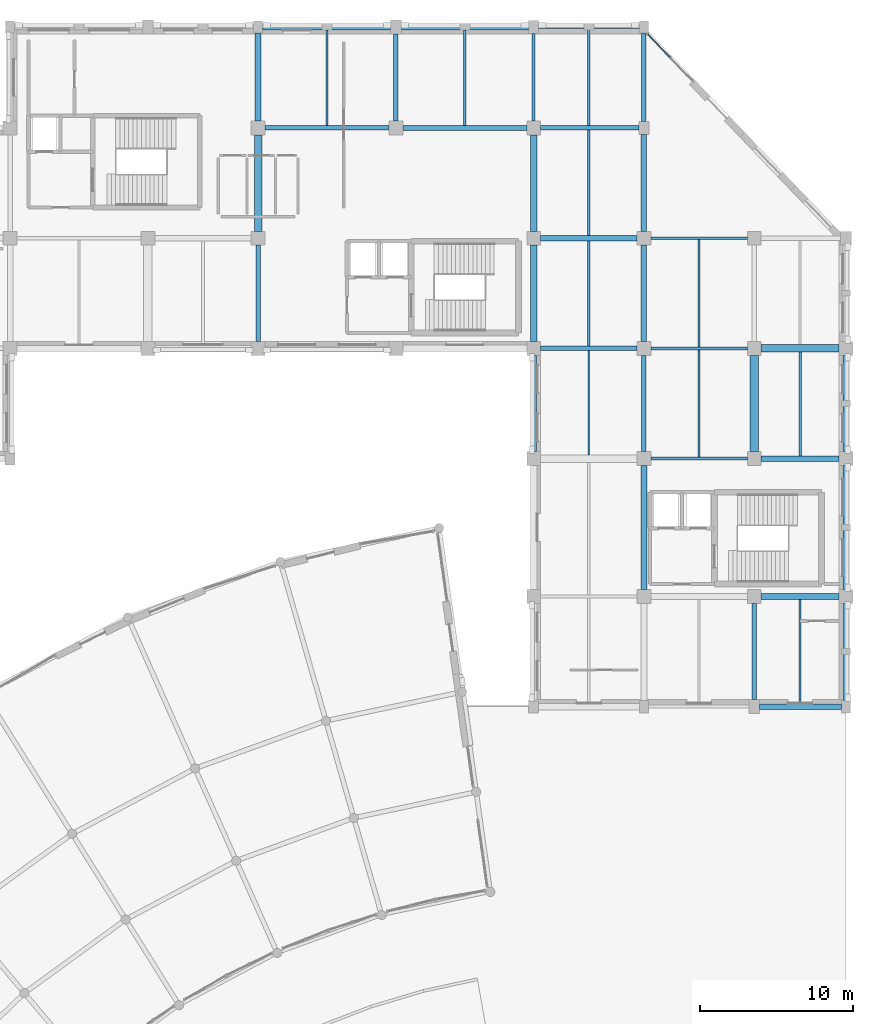
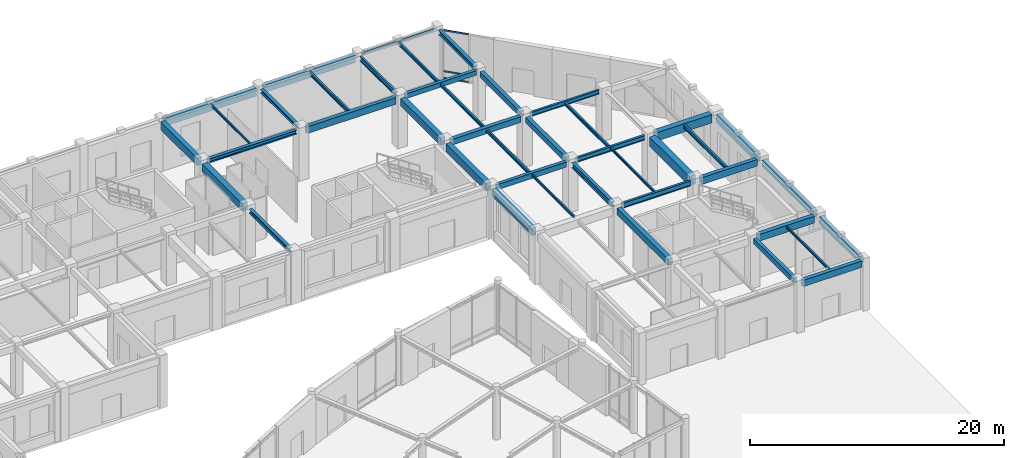
# One storey, part 37 of 64: 43 beams, 3 members, 1 element without a shape of its own.
"""IFC4 building model written with IfcOpenShell, lengths in metres."""

from ifc_helpers import new_model, si_unit, direction, frame, origin, origin_2d, place, context, subcontext, project, spatial, rectangle, i_section, extrude, material, material_profile, profile_set, type_object, element, aggregate, save


model = new_model("IFC4")

# Units and contexts
model_context = context("Model", 3, precision=1e-05, world=origin(), true_north=direction((0.0, 1.0)))
body_context = subcontext(model_context, "Body", "Model", "MODEL_VIEW")
ifc_project = project(units=[si_unit("LENGTHUNIT", "METRE"), si_unit("AREAUNIT", "SQUARE_METRE"), si_unit("VOLUMEUNIT", "CUBIC_METRE"), si_unit("PLANEANGLEUNIT", "RADIAN"), si_unit("MASSUNIT", "GRAM", prefix="KILO")], contexts=[model_context])

# Site, building, storey
site_placement = place(None, origin())
site = spatial("IfcSite", under=ifc_project, at=site_placement, CompositionType="ELEMENT")
building_placement = place(site_placement, origin())
building = spatial("IfcBuilding", under=site, at=building_placement, Name="Clarverna Civic Hall", CompositionType="ELEMENT")
storey_placement = place(building_placement, origin())
storey = spatial("IfcBuildingStorey", under=building, at=storey_placement, Name="L00", CompositionType="ELEMENT", Elevation=0.0)

# Beams
ifc_material_1 = material(Name="Steel S355", Category="steel")
ifc_material_profile_1 = material_profile(ifc_material_1, i_section(OverallWidth=0.219970703125, OverallDepth=0.2099609375, WebThickness=0.007080078125, FlangeThickness=0.010986328125, FilletRadius=0.01806640625, at=origin_2d()), Name="HEA 220")
ifc_profile_set_1 = profile_set([ifc_material_profile_1], Name="Steel S355")
beam_type_1 = type_object("IfcBeamType", Name="B-LN1", PredefinedType="LINTEL", material=ifc_profile_set_1)
beam_1_placement = place(storey_placement, frame((147.925048828125, 116.0, 4.675048828125), z_axis=(1.0, 0.0, 0.0), x_axis=(0.0, 1.0, 0.0)))
element("IfcBeam", 1, at=beam_1_placement, inside=storey, type_object=beam_type_1, Name="B-LN1-010", PredefinedType="LINTEL", context=body_context, shape_type="SweptSolid", body=[
    extrude(i_section(OverallWidth=0.219970703125, OverallDepth=0.2099609375, WebThickness=0.007080078125, FlangeThickness=0.010986328125, FilletRadius=0.01806640625, at=origin_2d()), origin(), (0.0, 0.0, 1.0), 6.574951171875),
])
ifc_material_2 = material(Name="Concrete C35/45", Category="concrete")
ifc_material_profile_2 = material_profile(ifc_material_2, rectangle(XDim=0.35009765625, YDim=0.5, at=origin_2d()), Name="RC 350x500")
ifc_profile_set_2 = profile_set([ifc_material_profile_2], Name="Concrete C35/45")
beam_type_2 = type_object("IfcBeamType", Name="B-RC10", PredefinedType="BEAM", material=ifc_profile_set_2)
beam_2_placement = place(storey_placement, frame((154.800048828125, 102.64990234375, 4.530029296875), z_axis=(0.0, 1.0, 0.0), x_axis=(-1.0, 0.0, 0.0)))
element("IfcBeam", 2, at=beam_2_placement, inside=storey, type_object=beam_type_2, Name="B-RC10-022", PredefinedType="BEAM", context=body_context, shape_type="SweptSolid", body=[
    extrude(rectangle(XDim=0.35009765625, YDim=0.5, at=origin_2d()), origin(), (0.0, 0.0, 1.0), 6.3251953125),
])
ifc_material_profile_3 = material_profile(ifc_material_2, rectangle(XDim=0.300048828125, YDim=0.5, at=origin_2d()), Name="RC 300x500")
ifc_profile_set_3 = profile_set([ifc_material_profile_3], Name="Concrete C35/45")
beam_type_3 = type_object("IfcBeamType", Name="B-RC12", PredefinedType="BEAM", material=ifc_profile_set_3)
for number, where, z_axis, x_axis, name in (
    (3, (148.050048828125, 95.0, 4.530029296875), (1.0, 0.0, 0.0), (0.0, 1.0, 0.0), "B-RC12-022"),
    (4, (162.0, 72.050048828125, 4.530029296875), (0.0, 1.0, 0.0), (-1.0, 0.0, 0.0), "B-RC12-027"),
):
    element("IfcBeam", number, at=place(storey_placement, frame(where, z_axis=z_axis, x_axis=x_axis)), inside=storey, type_object=beam_type_3, Name=name, PredefinedType="BEAM", context=body_context, shape_type="SweptSolid", body=[
        extrude(rectangle(XDim=0.300048828125, YDim=0.5, at=origin_2d()), origin(), (0.0, 0.0, 1.0), 6.300048828125),
    ])
ifc_material_profile_4 = material_profile(ifc_material_2, rectangle(XDim=0.550048828125, YDim=0.89990234375, at=origin_2d()), Name="RC 550x900")
ifc_profile_set_4 = profile_set([ifc_material_profile_4], Name="Concrete C35/45")
beam_type_4 = type_object("IfcBeamType", Name="B-RC13", PredefinedType="BEAM", material=ifc_profile_set_4)
beam_3_placement = place(storey_placement, frame((162.0, 88.25, 4.330078125), z_axis=(0.0, 1.0, 0.0), x_axis=(-1.0, 0.0, 0.0)))
element("IfcBeam", 5, at=beam_3_placement, inside=storey, type_object=beam_type_4, Name="B-RC13-021", PredefinedType="BEAM", context=body_context, shape_type="SweptSolid", body=[
    extrude(rectangle(XDim=0.550048828125, YDim=0.89990234375, at=origin_2d()), origin(), (0.0, 0.0, 1.0), 6.300048828125),
])
ifc_material_profile_5 = material_profile(ifc_material_2, rectangle(XDim=0.5, YDim=0.800048828125, at=origin_2d()), Name="RC 500x800")
ifc_profile_set_5 = profile_set([ifc_material_profile_5], Name="Concrete C35/45")
beam_type_5 = type_object("IfcBeamType", Name="B-RC14", PredefinedType="BEAM", material=ifc_profile_set_5)
beam_4_placement = place(storey_placement, frame((162.449951171875, 95.0, 4.3798828125), z_axis=(1.0, 0.0, 0.0), x_axis=(0.0, 1.0, 0.0)))
element("IfcBeam", 6, at=beam_4_placement, inside=storey, type_object=beam_type_5, Name="B-RC14-021", PredefinedType="BEAM", context=body_context, shape_type="SweptSolid", body=[
    extrude(rectangle(XDim=0.5, YDim=0.800048828125, at=origin_2d()), origin(), (0.0, 0.0, 1.0), 5.10009765625),
])
ifc_material_profile_6 = material_profile(ifc_material_2, rectangle(XDim=0.5, YDim=0.75, at=origin_2d()), Name="RC 500x750")
ifc_profile_set_6 = profile_set([ifc_material_profile_6], Name="Concrete C35/45")
beam_type_6 = type_object("IfcBeamType", Name="B-RC15", PredefinedType="BEAM", material=ifc_profile_set_6)
beam_5_placement = place(storey_placement, frame((129.60009765625, 102.64990234375, 4.405029296875), z_axis=(0.0, 1.0, 0.0), x_axis=(-1.0, 0.0, 0.0)))
element("IfcBeam", 7, at=beam_5_placement, inside=storey, type_object=beam_type_6, Name="B-RC15-025", PredefinedType="BEAM", context=body_context, shape_type="SweptSolid", body=[
    extrude(rectangle(XDim=0.5, YDim=0.75, at=origin_2d()), origin(), (0.0, 0.0, 1.0), 6.300048828125),
])
ifc_material_profile_7 = material_profile(ifc_material_2, rectangle(XDim=0.39990234375, YDim=0.75, at=origin_2d()), Name="RC 400x750")
ifc_profile_set_7 = profile_set([ifc_material_profile_7], Name="Concrete C35/45")
beam_type_7 = type_object("IfcBeamType", Name="B-RC16", PredefinedType="BEAM", material=ifc_profile_set_7)
beam_6_placement = place(storey_placement, frame((129.60009765625, 109.85009765625, 4.405029296875), z_axis=(0.0, 1.0, 0.0), x_axis=(-1.0, 0.0, 0.0)))
element("IfcBeam", 8, at=beam_6_placement, inside=storey, type_object=beam_type_7, Name="B-RC16-020", PredefinedType="BEAM", context=body_context, shape_type="SweptSolid", body=[
    extrude(rectangle(XDim=0.39990234375, YDim=0.75, at=origin_2d()), origin(), (0.0, 0.0, 1.0), 5.75),
])
ifc_material_profile_8 = material_profile(ifc_material_2, rectangle(XDim=0.35009765625, YDim=0.64990234375, at=origin_2d()), Name="RC 350x650")
ifc_profile_set_8 = profile_set([ifc_material_profile_8], Name="Concrete C35/45")
beam_type_8 = type_object("IfcBeamType", Name="B-RC17", PredefinedType="BEAM", material=ifc_profile_set_8)
beam_7_placement = place(storey_placement, frame((162.449951171875, 87.800048828125, 4.455078125), z_axis=(1.0, 0.0, 0.0), x_axis=(0.0, 1.0, 0.0)))
element("IfcBeam", 9, at=beam_7_placement, inside=storey, type_object=beam_type_8, Name="B-RC17-020", PredefinedType="BEAM", context=body_context, shape_type="SweptSolid", body=[
    extrude(rectangle(XDim=0.35009765625, YDim=0.64990234375, at=origin_2d()), origin(), (0.0, 0.0, 1.0), 5.10009765625),
])
beam_8_placement = place(storey_placement, frame((139.050048828125, 109.39990234375, 4.455078125), z_axis=(1.0, 0.0, 0.0), x_axis=(0.0, 1.0, 0.0)))
element("IfcBeam", 10, at=beam_8_placement, inside=storey, type_object=beam_type_8, Name="B-RC17-021", PredefinedType="BEAM", context=body_context, shape_type="SweptSolid", body=[
    extrude(rectangle(XDim=0.35009765625, YDim=0.64990234375, at=origin_2d()), origin(), (0.0, 0.0, 1.0), 8.099853515625),
])
ifc_material_profile_9 = material_profile(ifc_material_2, rectangle(XDim=0.300048828125, YDim=0.449951171875, at=origin_2d()), Name="RC 300x450")
ifc_profile_set_9 = profile_set([ifc_material_profile_9], Name="Concrete C35/45")
beam_type_9 = type_object("IfcBeamType", Name="B-RC18", PredefinedType="BEAM", material=ifc_profile_set_9)
beam_9_placement = place(storey_placement, frame((148.050048828125, 109.39990234375, 4.554931640625), z_axis=(1.0, 0.0, 0.0), x_axis=(0.0, 1.0, 0.0)))
element("IfcBeam", 11, at=beam_9_placement, inside=storey, type_object=beam_type_9, Name="B-RC18-018", PredefinedType="BEAM", context=body_context, shape_type="SweptSolid", body=[
    extrude(rectangle(XDim=0.300048828125, YDim=0.449951171875, at=origin_2d()), origin(), (0.0, 0.0, 1.0), 6.425048828125),
])
ifc_material_profile_10 = material_profile(ifc_material_2, rectangle(XDim=0.449951171875, YDim=0.75, at=origin_2d()), Name="RC 450x750")
ifc_profile_set_10 = profile_set([ifc_material_profile_10], Name="Concrete C35/45")
beam_type_10 = type_object("IfcBeamType", Name="B-RC3", PredefinedType="BEAM", material=ifc_profile_set_10)
beam_10_placement = place(storey_placement, frame((147.60009765625, 95.449951171875, 4.405029296875), z_axis=(0.0, 1.0, 0.0), x_axis=(-1.0, 0.0, 0.0)))
element("IfcBeam", 12, at=beam_10_placement, inside=storey, type_object=beam_type_10, Name="B-RC3-020", PredefinedType="BEAM", context=body_context, shape_type="SweptSolid", body=[
    extrude(rectangle(XDim=0.449951171875, YDim=0.75, at=origin_2d()), origin(), (0.0, 0.0, 1.0), 6.300048828125),
])
ifc_material_profile_11 = material_profile(ifc_material_2, rectangle(XDim=0.449951171875, YDim=0.699951171875, at=origin_2d()), Name="RC 450x700")
ifc_profile_set_11 = profile_set([ifc_material_profile_11], Name="Concrete C35/45")
beam_type_11 = type_object("IfcBeamType", Name="B-RC4", PredefinedType="BEAM", material=ifc_profile_set_11)
beam_11_placement = place(storey_placement, frame((147.60009765625, 102.64990234375, 4.429931640625), z_axis=(0.0, 1.0, 0.0), x_axis=(-1.0, 0.0, 0.0)))
element("IfcBeam", 13, at=beam_11_placement, inside=storey, type_object=beam_type_11, Name="B-RC4-020", PredefinedType="BEAM", context=body_context, shape_type="SweptSolid", body=[
    extrude(rectangle(XDim=0.449951171875, YDim=0.699951171875, at=origin_2d()), origin(), (0.0, 0.0, 1.0), 6.300048828125),
])
ifc_material_profile_12 = material_profile(ifc_material_2, rectangle(XDim=0.39990234375, YDim=0.64990234375, at=origin_2d()), Name="RC 400x650")
ifc_profile_set_12 = profile_set([ifc_material_profile_12], Name="Concrete C35/45")
beam_type_12 = type_object("IfcBeamType", Name="B-RC6", PredefinedType="BEAM", material=ifc_profile_set_12)
beam_12_placement = place(storey_placement, frame((162.449951171875, 78.800048828125, 4.455078125), z_axis=(1.0, 0.0, 0.0), x_axis=(0.0, 1.0, 0.0)))
element("IfcBeam", 14, at=beam_12_placement, inside=storey, type_object=beam_type_12, Name="B-RC6-017", PredefinedType="BEAM", context=body_context, shape_type="SweptSolid", body=[
    extrude(rectangle(XDim=0.39990234375, YDim=0.64990234375, at=origin_2d()), origin(), (0.0, 0.0, 1.0), 5.10009765625),
])
ifc_material_profile_13 = material_profile(ifc_material_2, rectangle(XDim=0.39990234375, YDim=0.60009765625, at=origin_2d()), Name="RC 400x600")
ifc_profile_set_13 = profile_set([ifc_material_profile_13], Name="Concrete C35/45")
beam_type_13 = type_object("IfcBeamType", Name="B-RC7", PredefinedType="BEAM", material=ifc_profile_set_13)
beam_13_placement = place(storey_placement, frame((154.800048828125, 79.25, 4.47998046875), z_axis=(0.0, 1.0, 0.0), x_axis=(-1.0, 0.0, 0.0)))
element("IfcBeam", 15, at=beam_13_placement, inside=storey, type_object=beam_type_13, Name="B-RC7-021", PredefinedType="BEAM", context=body_context, shape_type="SweptSolid", body=[
    extrude(rectangle(XDim=0.39990234375, YDim=0.60009765625, at=origin_2d()), origin(), (0.0, 0.0, 1.0), 8.10009765625),
])
ifc_material_profile_14 = material_profile(ifc_material_2, rectangle(XDim=0.35009765625, YDim=0.550048828125, at=origin_2d()), Name="RC 350x550")
ifc_profile_set_14 = profile_set([ifc_material_profile_14], Name="Concrete C35/45")
beam_type_14 = type_object("IfcBeamType", Name="B-RC9", PredefinedType="BEAM", material=ifc_profile_set_14)
for number, where, z_axis, x_axis, name in (
    (16, (148.050048828125, 102.199951171875, 4.5048828125), (1.0, 0.0, 0.0), (0.0, 1.0, 0.0), "B-RC9-019"),
    (17, (154.800048828125, 95.449951171875, 4.5048828125), (0.0, 1.0, 0.0), (-1.0, 0.0, 0.0), "B-RC9-023"),
):
    element("IfcBeam", number, at=place(storey_placement, frame(where, z_axis=z_axis, x_axis=x_axis)), inside=storey, type_object=beam_type_14, Name=name, PredefinedType="BEAM", context=body_context, shape_type="SweptSolid", body=[
        extrude(rectangle(XDim=0.35009765625, YDim=0.550048828125, at=origin_2d()), origin(), (0.0, 0.0, 1.0), 6.300048828125),
    ])
ifc_material_profile_15 = material_profile(ifc_material_2, rectangle(XDim=0.419921875, YDim=0.719970703125, at=origin_2d()), Name="RC 420x720")
ifc_profile_set_15 = profile_set([ifc_material_profile_15], Name="Concrete C35/45")
beam_type_15 = type_object("IfcBeamType", Name="B-SP1", PredefinedType="SPANDREL", material=ifc_profile_set_15)
beam_14_placement = place(storey_placement, frame((129.89990234375, 116.0, 4.419921875), z_axis=(1.0, 0.0, 0.0), x_axis=(0.0, 1.0, 0.0)))
element("IfcBeam", 18, at=beam_14_placement, inside=storey, type_object=beam_type_15, Name="B-SP1-042", PredefinedType="SPANDREL", context=body_context, shape_type="SweptSolid", body=[
    extrude(rectangle(XDim=0.419921875, YDim=0.719970703125, at=origin_2d()), origin(), (0.0, 0.0, 1.0), 8.35009765625),
])
beam_15_placement = place(storey_placement, frame((168.0, 88.25, 4.419921875), z_axis=(0.0, 1.0, 0.0), x_axis=(-1.0, 0.0, 0.0)))
element("IfcBeam", 19, at=beam_15_placement, inside=storey, type_object=beam_type_15, Name="B-SP1-056", PredefinedType="SPANDREL", context=body_context, shape_type="SweptSolid", body=[
    extrude(rectangle(XDim=0.419921875, YDim=0.719970703125, at=origin_2d()), origin(), (0.0, 0.0, 1.0), 6.300048828125),
])
ifc_material_profile_16 = material_profile(ifc_material_2, rectangle(XDim=0.3798828125, YDim=0.679931640625, at=origin_2d()), Name="RC 380x680")
ifc_profile_set_16 = profile_set([ifc_material_profile_16], Name="Concrete C35/45")
beam_type_16 = type_object("IfcBeamType", Name="B-SP2", PredefinedType="SPANDREL", material=ifc_profile_set_16)
beam_16_placement = place(storey_placement, frame((138.949951171875, 116.0, 4.43994140625), z_axis=(1.0, 0.0, 0.0), x_axis=(0.0, 1.0, 0.0)))
element("IfcBeam", 20, at=beam_16_placement, inside=storey, type_object=beam_type_16, Name="B-SP2-041", PredefinedType="SPANDREL", context=body_context, shape_type="SweptSolid", body=[
    extrude(rectangle(XDim=0.3798828125, YDim=0.679931640625, at=origin_2d()), origin(), (0.0, 0.0, 1.0), 8.324951171875),
])
beam_17_placement = place(storey_placement, frame((147.60009765625, 88.25, 4.43994140625), z_axis=(0.0, 1.0, 0.0), x_axis=(-1.0, 0.0, 0.0)))
element("IfcBeam", 21, at=beam_17_placement, inside=storey, type_object=beam_type_16, Name="B-SP2-055", PredefinedType="SPANDREL", context=body_context, shape_type="SweptSolid", body=[
    extrude(rectangle(XDim=0.3798828125, YDim=0.679931640625, at=origin_2d()), origin(), (0.0, 0.0, 1.0), 6.300048828125),
])
ifc_material_profile_17 = material_profile(ifc_material_2, rectangle(XDim=0.360107421875, YDim=0.6201171875, at=origin_2d()), Name="RC 360x620")
ifc_profile_set_17 = profile_set([ifc_material_profile_17], Name="Concrete C35/45")
beam_type_17 = type_object("IfcBeamType", Name="B-SP3", PredefinedType="SPANDREL", material=ifc_profile_set_17)
beam_18_placement = place(storey_placement, frame((162.35009765625, 71.60009765625, 4.469970703125), z_axis=(1.0, 0.0, 0.0), x_axis=(0.0, 1.0, 0.0)))
element("IfcBeam", 22, at=beam_18_placement, inside=storey, type_object=beam_type_17, Name="B-SP3-036", PredefinedType="SPANDREL", context=body_context, shape_type="SweptSolid", body=[
    extrude(rectangle(XDim=0.360107421875, YDim=0.6201171875, at=origin_2d()), origin(), (0.0, 0.0, 1.0), 5.349853515625),
])
beam_19_placement = place(storey_placement, frame((168.0, 72.0, 4.469970703125), z_axis=(0.0, 1.0, 0.0), x_axis=(-1.0, 0.0, 0.0)))
element("IfcBeam", 23, at=beam_19_placement, inside=storey, type_object=beam_type_17, Name="B-SP3-056", PredefinedType="SPANDREL", context=body_context, shape_type="SweptSolid", body=[
    extrude(rectangle(XDim=0.360107421875, YDim=0.6201171875, at=origin_2d()), origin(), (0.0, 0.0, 1.0), 6.35009765625),
])
ifc_material_profile_18 = material_profile(ifc_material_2, rectangle(XDim=0.39990234375, YDim=0.56005859375, at=origin_2d()), Name="RC 400x560")
ifc_profile_set_18 = profile_set([ifc_material_profile_18], Name="Concrete C35/45")
beam_type_18 = type_object("IfcBeamType", Name="B-SP4", PredefinedType="SPANDREL", material=ifc_profile_set_18)
beam_20_placement = place(storey_placement, frame((168.0, 79.25, 4.5), z_axis=(0.0, 1.0, 0.0), x_axis=(-1.0, 0.0, 0.0)))
element("IfcBeam", 24, at=beam_20_placement, inside=storey, type_object=beam_type_18, Name="B-SP4-052", PredefinedType="SPANDREL", context=body_context, shape_type="SweptSolid", body=[
    extrude(rectangle(XDim=0.39990234375, YDim=0.56005859375, at=origin_2d()), origin(), (0.0, 0.0, 1.0), 8.10009765625),
])
ifc_material_profile_19 = material_profile(ifc_material_1, i_section(OverallWidth=0.199951171875, OverallDepth=0.5, WebThickness=0.01025390625, FlangeThickness=0.01611328125, FilletRadius=0.02099609375, at=origin_2d()), Name="IPE 500")
ifc_profile_set_19 = profile_set([ifc_material_profile_19], Name="Steel S355")
beam_type_19 = type_object("IfcBeamType", Name="B-ST12", PredefinedType="BEAM", material=ifc_profile_set_19)
beam_21_placement = place(storey_placement, frame((155.25, 87.800048828125, 4.530029296875), z_axis=(1.0, 0.0, 0.0), x_axis=(0.0, 1.0, 0.0)))
element("IfcBeam", 25, at=beam_21_placement, inside=storey, type_object=beam_type_19, Name="B-ST12-002", PredefinedType="BEAM", context=body_context, shape_type="SweptSolid", body=[
    extrude(i_section(OverallWidth=0.199951171875, OverallDepth=0.5, WebThickness=0.01025390625, FlangeThickness=0.01611328125, FilletRadius=0.02099609375, at=origin_2d()), origin(), (0.0, 0.0, 1.0), 6.300048828125),
])
ifc_material_profile_20 = material_profile(ifc_material_1, i_section(OverallWidth=0.18994140625, OverallDepth=0.449951171875, WebThickness=0.009521484375, FlangeThickness=0.0146484375, FilletRadius=0.02099609375, at=origin_2d()), Name="IPE 450")
ifc_profile_set_20 = profile_set([ifc_material_profile_20], Name="Steel S355")
beam_type_20 = type_object("IfcBeamType", Name="B-ST13", PredefinedType="BEAM", material=ifc_profile_set_20)
beam_22_placement = place(storey_placement, frame((155.25, 95.0, 4.554931640625), z_axis=(1.0, 0.0, 0.0), x_axis=(0.0, 1.0, 0.0)))
element("IfcBeam", 26, at=beam_22_placement, inside=storey, type_object=beam_type_20, Name="B-ST13-003", PredefinedType="BEAM", context=body_context, shape_type="SweptSolid", body=[
    extrude(i_section(OverallWidth=0.18994140625, OverallDepth=0.449951171875, WebThickness=0.009521484375, FlangeThickness=0.0146484375, FilletRadius=0.02099609375, at=origin_2d()), origin(), (0.0, 0.0, 1.0), 6.300048828125),
])
beam_23_placement = place(storey_placement, frame((147.60009765625, 109.85009765625, 4.554931640625), z_axis=(0.0, 1.0, 0.0), x_axis=(-1.0, 0.0, 0.0)))
element("IfcBeam", 27, at=beam_23_placement, inside=storey, type_object=beam_type_20, Name="B-ST13-005", PredefinedType="BEAM", context=body_context, shape_type="SweptSolid", body=[
    extrude(i_section(OverallWidth=0.18994140625, OverallDepth=0.449951171875, WebThickness=0.009521484375, FlangeThickness=0.0146484375, FilletRadius=0.02099609375, at=origin_2d()), origin(), (0.0, 0.0, 1.0), 5.724853515625),
])
ifc_material_profile_21 = material_profile(ifc_material_1, i_section(OverallWidth=0.179931640625, OverallDepth=0.39990234375, WebThickness=0.008544921875, FlangeThickness=0.013427734375, FilletRadius=0.02099609375, at=origin_2d()), Name="IPE 400")
ifc_profile_set_21 = profile_set([ifc_material_profile_21], Name="Steel S355")
beam_type_21 = type_object("IfcBeamType", Name="B-ST14", PredefinedType="BEAM", material=ifc_profile_set_21)
beam_24_placement = place(storey_placement, frame((155.25, 102.199951171875, 4.580078125), z_axis=(1.0, 0.0, 0.0), x_axis=(0.0, 1.0, 0.0)))
element("IfcBeam", 28, at=beam_24_placement, inside=storey, type_object=beam_type_21, Name="B-ST14-003", PredefinedType="BEAM", context=body_context, shape_type="SweptSolid", body=[
    extrude(i_section(OverallWidth=0.179931640625, OverallDepth=0.39990234375, WebThickness=0.008544921875, FlangeThickness=0.013427734375, FilletRadius=0.02099609375, at=origin_2d()), origin(), (0.0, 0.0, 1.0), 6.300048828125),
])
ifc_material_profile_22 = material_profile(ifc_material_1, i_section(OverallWidth=0.300048828125, OverallDepth=0.5, WebThickness=0.014404296875, FlangeThickness=0.028076171875, FilletRadius=0.027099609375, at=origin_2d()), Name="HEB 500")
ifc_profile_set_22 = profile_set([ifc_material_profile_22], Name="Steel S355")
beam_type_22 = type_object("IfcBeamType", Name="B-ST2", PredefinedType="BEAM", material=ifc_profile_set_22)
beam_25_placement = place(storey_placement, frame((154.800048828125, 88.25, 4.530029296875), z_axis=(0.0, 1.0, 0.0), x_axis=(-1.0, 0.0, 0.0)))
element("IfcBeam", 29, at=beam_25_placement, inside=storey, type_object=beam_type_22, Name="B-ST2-002", PredefinedType="BEAM", context=body_context, shape_type="SweptSolid", body=[
    extrude(i_section(OverallWidth=0.300048828125, OverallDepth=0.5, WebThickness=0.014404296875, FlangeThickness=0.028076171875, FilletRadius=0.027099609375, at=origin_2d()), origin(), (0.0, 0.0, 1.0), 6.300048828125),
])
ifc_material_profile_23 = material_profile(ifc_material_1, i_section(OverallWidth=0.300048828125, OverallDepth=0.39990234375, WebThickness=0.013427734375, FlangeThickness=0.02392578125, FilletRadius=0.027099609375, at=origin_2d()), Name="HEB 400")
ifc_profile_set_23 = profile_set([ifc_material_profile_23], Name="Steel S355")
beam_type_23 = type_object("IfcBeamType", Name="B-ST4", PredefinedType="BEAM", material=ifc_profile_set_23)
beam_26_placement = place(storey_placement, frame((129.60009765625, 95.449951171875, 4.580078125), z_axis=(0.0, 1.0, 0.0), x_axis=(-1.0, 0.0, 0.0)))
element("IfcBeam", 30, at=beam_26_placement, inside=storey, type_object=beam_type_23, Name="B-ST4-004", PredefinedType="BEAM", context=body_context, shape_type="SweptSolid", body=[
    extrude(i_section(OverallWidth=0.300048828125, OverallDepth=0.39990234375, WebThickness=0.013427734375, FlangeThickness=0.02392578125, FilletRadius=0.027099609375, at=origin_2d()), origin(), (0.0, 0.0, 1.0), 6.300048828125),
])
ifc_material_profile_24 = material_profile(ifc_material_1, i_section(OverallWidth=0.300048828125, OverallDepth=0.43994140625, WebThickness=0.011474609375, FlangeThickness=0.02099609375, FilletRadius=0.027099609375, at=origin_2d()), Name="HEA 450")
ifc_profile_set_24 = profile_set([ifc_material_profile_24], Name="Steel S355")
beam_type_24 = type_object("IfcBeamType", Name="B-ST5", PredefinedType="BEAM", material=ifc_profile_set_24)
beam_27_placement = place(storey_placement, frame((154.800048828125, 109.824951171875, 4.56005859375), z_axis=(0.0, 1.0, 0.0), x_axis=(-1.0, 0.0, 0.0)))
element("IfcBeam", 31, at=beam_27_placement, inside=storey, type_object=beam_type_24, Name="B-ST5-026", PredefinedType="BEAM", context=body_context, shape_type="SweptSolid", body=[
    extrude(i_section(OverallWidth=0.300048828125, OverallDepth=0.43994140625, WebThickness=0.011474609375, FlangeThickness=0.02099609375, FilletRadius=0.027099609375, at=origin_2d()), origin(), (0.0, 0.0, 1.0), 5.775146484375),
])
ifc_material_profile_25 = material_profile(ifc_material_1, i_section(OverallWidth=0.300048828125, OverallDepth=0.389892578125, WebThickness=0.010986328125, FlangeThickness=0.01904296875, FilletRadius=0.027099609375, at=origin_2d()), Name="HEA 400")
ifc_profile_set_25 = profile_set([ifc_material_profile_25], Name="Steel S355")
beam_type_25 = type_object("IfcBeamType", Name="B-ST6", PredefinedType="BEAM", material=ifc_profile_set_25)
beam_28_placement = place(storey_placement, frame((130.050048828125, 109.39990234375, 4.5849609375), z_axis=(1.0, 0.0, 0.0), x_axis=(0.0, 1.0, 0.0)))
element("IfcBeam", 32, at=beam_28_placement, inside=storey, type_object=beam_type_25, Name="B-ST6-002", PredefinedType="BEAM", context=body_context, shape_type="SweptSolid", body=[
    extrude(i_section(OverallWidth=0.300048828125, OverallDepth=0.389892578125, WebThickness=0.010986328125, FlangeThickness=0.01904296875, FilletRadius=0.027099609375, at=origin_2d()), origin(), (0.0, 0.0, 1.0), 8.099853515625),
])
ifc_material_profile_26 = material_profile(ifc_material_1, i_section(OverallWidth=0.300048828125, OverallDepth=0.35009765625, WebThickness=0.010009765625, FlangeThickness=0.017578125, FilletRadius=0.027099609375, at=origin_2d()), Name="HEA 360")
ifc_profile_set_26 = profile_set([ifc_material_profile_26], Name="Steel S355")
beam_type_26 = type_object("IfcBeamType", Name="B-ST7", PredefinedType="BEAM", material=ifc_profile_set_26)
beam_29_placement = place(storey_placement, frame((138.60009765625, 109.85009765625, 4.60498046875), z_axis=(0.0, 1.0, 0.0), x_axis=(-1.0, 0.0, 0.0)))
element("IfcBeam", 33, at=beam_29_placement, inside=storey, type_object=beam_type_26, Name="B-ST7-004", PredefinedType="BEAM", context=body_context, shape_type="SweptSolid", body=[
    extrude(i_section(OverallWidth=0.300048828125, OverallDepth=0.35009765625, WebThickness=0.010009765625, FlangeThickness=0.017578125, FilletRadius=0.027099609375, at=origin_2d()), origin(), (0.0, 0.0, 1.0), 5.699951171875),
])

# Curtain wall, members
ifc_material_3 = material(Name="Anodised Bronze Architectural Aluminium", Category="aluminium")
curtain_wall_type = type_object("IfcCurtainWallType", Name="CW-02", PredefinedType="USERDEFINED", material=ifc_material_3)
curtain_wall_placement = place(storey_placement, origin())
curtain_wall = element("IfcCurtainWall", 34, at=curtain_wall_placement, inside=storey, type_object=curtain_wall_type, Name="CW-02-001", ObjectType="UNITISED CURTAIN WALL", PredefinedType="USERDEFINED")
ifc_material_profile_27 = material_profile(ifc_material_3, rectangle(XDim=0.06005859375, YDim=0.14990234375, at=origin_2d()), Name="BRONZE 60x150")
ifc_profile_set_27 = profile_set([ifc_material_profile_27], Name="Anodised Bronze Architectural Aluminium")
member_type = type_object("IfcMemberType", Name="CWT-01", PredefinedType="USERDEFINED", material=ifc_profile_set_27)
member_1_placement = place(storey_placement, frame((155.060302734375, 115.525390625, 0.094970703125), z_axis=(0.691196082375, -0.722667264866, 0.0), x_axis=(0.722667264866, 0.691196082375, 0.0)))
member_1 = element("IfcMember", 35, at=member_1_placement, type_object=member_type, Name="CWT-01-001", ObjectType="TRANSOM", PredefinedType="USERDEFINED", context=body_context, shape_type="SweptSolid", body=[
    extrude(rectangle(XDim=0.06005859375, YDim=0.14990234375, at=origin_2d()), origin(), (0.0, 0.0, 1.0), 2.0869140625),
])
member_2_placement = place(storey_placement, frame((155.060302734375, 115.525390625, 0.75), z_axis=(0.691196082375, -0.722667264866, 0.0), x_axis=(0.722667264866, 0.691196082375, 0.0)))
member_2 = element("IfcMember", 36, at=member_2_placement, type_object=member_type, Name="CWT-01-002", ObjectType="TRANSOM", PredefinedType="USERDEFINED", context=body_context, shape_type="SweptSolid", body=[
    extrude(rectangle(XDim=0.06005859375, YDim=0.14990234375, at=origin_2d()), origin(), (0.0, 0.0, 1.0), 2.0869140625),
])
member_3_placement = place(storey_placement, frame((155.060302734375, 115.525390625, 4.68505859375), z_axis=(0.691196082375, -0.722667264866, 0.0), x_axis=(0.722667264866, 0.691196082375, 0.0)))
member_3 = element("IfcMember", 37, at=member_3_placement, type_object=member_type, Name="CWT-01-003", ObjectType="TRANSOM", PredefinedType="USERDEFINED", context=body_context, shape_type="SweptSolid", body=[
    extrude(rectangle(XDim=0.06005859375, YDim=0.14990234375, at=origin_2d()), origin(), (0.0, 0.0, 1.0), 2.0869140625),
])
aggregate(curtain_wall, [member_1, member_2, member_3])

# Beams
ifc_material_profile_28 = material_profile(ifc_material_1, i_section(OverallWidth=0.169921875, OverallDepth=0.360107421875, WebThickness=0.008056640625, FlangeThickness=0.0126953125, FilletRadius=0.01806640625, at=origin_2d()), Name="IPE 360")
ifc_profile_set_28 = profile_set([ifc_material_profile_28], Name="Steel S355")
beam_type_27 = type_object("IfcBeamType", Name="J-ST1", PredefinedType="JOIST", material=ifc_profile_set_28)
beam_30_placement = place(storey_placement, frame((165.0, 87.97509765625, 4.60009765625), z_axis=(0.0, 1.0, 0.0), x_axis=(-1.0, 0.0, 0.0)))
element("IfcBeam", 38, at=beam_30_placement, inside=storey, type_object=beam_type_27, Name="J-ST1-031", PredefinedType="JOIST", context=body_context, shape_type="SweptSolid", body=[
    extrude(i_section(OverallWidth=0.169921875, OverallDepth=0.360107421875, WebThickness=0.008056640625, FlangeThickness=0.0126953125, FilletRadius=0.01806640625, at=origin_2d()), origin(), (0.0, 0.0, 1.0), 6.77490234375),
])
beam_31_placement = place(storey_placement, frame((143.10009765625, 109.574951171875, 4.60009765625), z_axis=(0.0, 1.0, 0.0), x_axis=(-1.0, 0.0, 0.0)))
element("IfcBeam", 39, at=beam_31_placement, inside=storey, type_object=beam_type_27, Name="J-ST1-034", PredefinedType="JOIST", context=body_context, shape_type="SweptSolid", body=[
    extrude(i_section(OverallWidth=0.169921875, OverallDepth=0.360107421875, WebThickness=0.008056640625, FlangeThickness=0.0126953125, FilletRadius=0.01806640625, at=origin_2d()), origin(), (0.0, 0.0, 1.0), 6.235107421875),
])
ifc_material_profile_29 = material_profile(ifc_material_1, i_section(OverallWidth=0.159912109375, OverallDepth=0.330078125, WebThickness=0.007568359375, FlangeThickness=0.011474609375, FilletRadius=0.01806640625, at=origin_2d()), Name="IPE 330")
ifc_profile_set_29 = profile_set([ifc_material_profile_29], Name="Steel S355")
beam_type_28 = type_object("IfcBeamType", Name="J-ST2", PredefinedType="JOIST", material=ifc_profile_set_29)
beam_32_placement = place(storey_placement, frame((151.199951171875, 95.14990234375, 4.614990234375), z_axis=(0.0, 1.0, 0.0), x_axis=(-1.0, 0.0, 0.0)))
element("IfcBeam", 40, at=beam_32_placement, inside=storey, type_object=beam_type_28, Name="J-ST2-032", PredefinedType="JOIST", context=body_context, shape_type="SweptSolid", body=[
    extrude(i_section(OverallWidth=0.159912109375, OverallDepth=0.330078125, WebThickness=0.007568359375, FlangeThickness=0.011474609375, FilletRadius=0.01806640625, at=origin_2d()), origin(), (0.0, 0.0, 1.0), 6.875),
])
beam_33_placement = place(storey_placement, frame((151.199951171875, 109.550048828125, 4.614990234375), z_axis=(0.0, 1.0, 0.0), x_axis=(-1.0, 0.0, 0.0)))
element("IfcBeam", 41, at=beam_33_placement, inside=storey, type_object=beam_type_28, Name="J-ST2-034", PredefinedType="JOIST", context=body_context, shape_type="SweptSolid", body=[
    extrude(i_section(OverallWidth=0.159912109375, OverallDepth=0.330078125, WebThickness=0.007568359375, FlangeThickness=0.011474609375, FilletRadius=0.01806640625, at=origin_2d()), origin(), (0.0, 0.0, 1.0), 6.33984375),
])
ifc_material_profile_30 = material_profile(ifc_material_1, i_section(OverallWidth=0.14990234375, OverallDepth=0.300048828125, WebThickness=0.007080078125, FlangeThickness=0.0107421875, FilletRadius=0.014892578125, at=origin_2d()), Name="IPE 300")
ifc_profile_set_30 = profile_set([ifc_material_profile_30], Name="Steel S355")
beam_type_29 = type_object("IfcBeamType", Name="J-ST3", PredefinedType="JOIST", material=ifc_profile_set_30)
beam_34_placement = place(storey_placement, frame((158.39990234375, 95.094970703125, 4.6298828125), z_axis=(0.0, 1.0, 0.0), x_axis=(-1.0, 0.0, 0.0)))
element("IfcBeam", 42, at=beam_34_placement, inside=storey, type_object=beam_type_29, Name="J-ST3-032", PredefinedType="JOIST", context=body_context, shape_type="SweptSolid", body=[
    extrude(i_section(OverallWidth=0.14990234375, OverallDepth=0.300048828125, WebThickness=0.007080078125, FlangeThickness=0.0107421875, FilletRadius=0.014892578125, at=origin_2d()), origin(), (0.0, 0.0, 1.0), 7.01513671875),
])
beam_35_placement = place(storey_placement, frame((151.199951171875, 102.375, 4.6298828125), z_axis=(0.0, 1.0, 0.0), x_axis=(-1.0, 0.0, 0.0)))
element("IfcBeam", 43, at=beam_35_placement, inside=storey, type_object=beam_type_29, Name="J-ST3-033", PredefinedType="JOIST", context=body_context, shape_type="SweptSolid", body=[
    extrude(i_section(OverallWidth=0.14990234375, OverallDepth=0.300048828125, WebThickness=0.007080078125, FlangeThickness=0.0107421875, FilletRadius=0.014892578125, at=origin_2d()), origin(), (0.0, 0.0, 1.0), 6.875),
])
ifc_material_profile_31 = material_profile(ifc_material_1, i_section(OverallWidth=0.1201171875, OverallDepth=0.239990234375, WebThickness=0.006103515625, FlangeThickness=0.009765625, FilletRadius=0.014892578125, at=origin_2d()), Name="IPE 240")
ifc_profile_set_31 = profile_set([ifc_material_profile_31], Name="Steel S355")
beam_type_30 = type_object("IfcBeamType", Name="J-ST5", PredefinedType="JOIST", material=ifc_profile_set_31)
beam_36_placement = place(storey_placement, frame((165.0, 71.780029296875, 4.659912109375), z_axis=(0.0, 1.0, 0.0), x_axis=(-1.0, 0.0, 0.0)))
element("IfcBeam", 44, at=beam_36_placement, inside=storey, type_object=beam_type_30, Name="J-ST5-028", PredefinedType="JOIST", context=body_context, shape_type="SweptSolid", body=[
    extrude(i_section(OverallWidth=0.1201171875, OverallDepth=0.239990234375, WebThickness=0.006103515625, FlangeThickness=0.009765625, FilletRadius=0.014892578125, at=origin_2d()), origin(), (0.0, 0.0, 1.0), 6.820068359375),
])
beam_37_placement = place(storey_placement, frame((151.199951171875, 88.050048828125, 4.659912109375), z_axis=(0.0, 1.0, 0.0), x_axis=(-1.0, 0.0, 0.0)))
element("IfcBeam", 45, at=beam_37_placement, inside=storey, type_object=beam_type_30, Name="J-ST5-030", PredefinedType="JOIST", context=body_context, shape_type="SweptSolid", body=[
    extrude(i_section(OverallWidth=0.1201171875, OverallDepth=0.239990234375, WebThickness=0.006103515625, FlangeThickness=0.009765625, FilletRadius=0.014892578125, at=origin_2d()), origin(), (0.0, 0.0, 1.0), 6.800048828125),
])
ifc_material_profile_32 = material_profile(ifc_material_1, i_section(OverallWidth=0.110107421875, OverallDepth=0.219970703125, WebThickness=0.005859375, FlangeThickness=0.00927734375, FilletRadius=0.011962890625, at=origin_2d()), Name="IPE 220")
ifc_profile_set_32 = profile_set([ifc_material_profile_32], Name="Steel S355")
beam_type_31 = type_object("IfcBeamType", Name="J-ST6", PredefinedType="JOIST", material=ifc_profile_set_32)
beam_38_placement = place(storey_placement, frame((158.39990234375, 87.89990234375, 4.669921875), z_axis=(0.0, 1.0, 0.0), x_axis=(-1.0, 0.0, 0.0)))
element("IfcBeam", 46, at=beam_38_placement, inside=storey, type_object=beam_type_31, Name="J-ST6-031", PredefinedType="JOIST", context=body_context, shape_type="SweptSolid", body=[
    extrude(i_section(OverallWidth=0.110107421875, OverallDepth=0.219970703125, WebThickness=0.005859375, FlangeThickness=0.00927734375, FilletRadius=0.011962890625, at=origin_2d()), origin(), (0.0, 0.0, 1.0), 7.005126953125),
])
beam_39_placement = place(storey_placement, frame((134.10009765625, 109.550048828125, 4.669921875), z_axis=(0.0, 1.0, 0.0), x_axis=(-1.0, 0.0, 0.0)))
element("IfcBeam", 47, at=beam_39_placement, inside=storey, type_object=beam_type_31, Name="J-ST6-034", PredefinedType="JOIST", context=body_context, shape_type="SweptSolid", body=[
    extrude(i_section(OverallWidth=0.110107421875, OverallDepth=0.219970703125, WebThickness=0.005859375, FlangeThickness=0.00927734375, FilletRadius=0.011962890625, at=origin_2d()), origin(), (0.0, 0.0, 1.0), 6.239990234375),
])

save(model, "model.ifc")
